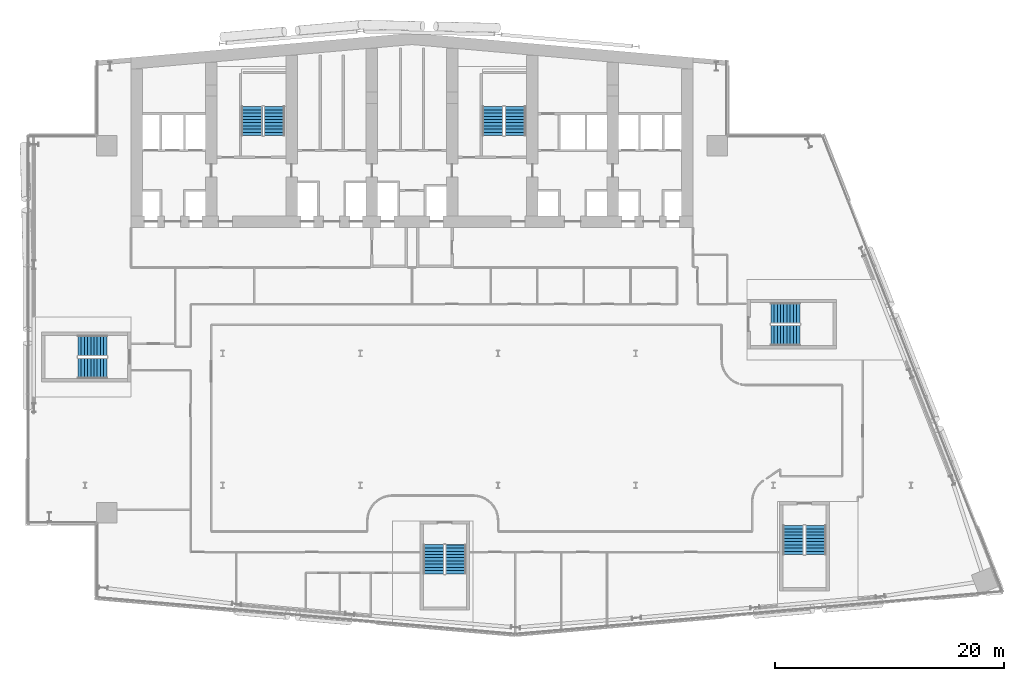
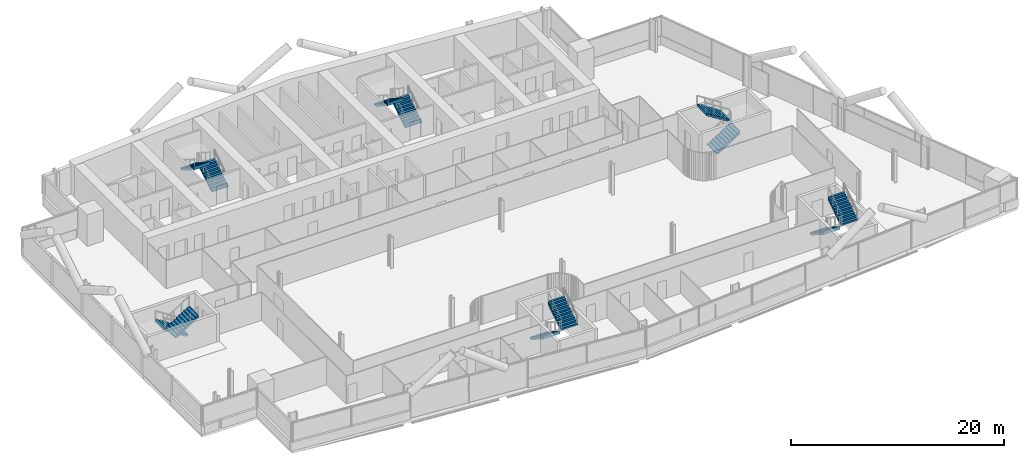
# One storey, part 24 of 30: 12 stair flights, 6 elements without a shape of their own.
"""IFC4 building model written with IfcOpenShell, lengths in metres."""

from ifc_helpers import new_model, si_unit, direction, frame, origin, place, context, subcontext, project, spatial, polyline, outline, extrude, material, type_object, element, aggregate, save


model = new_model("IFC4")

# Units and contexts
model_context = context("Model", 3, precision=1e-05, world=origin(), true_north=direction((0.0, 1.0)))
body_context = subcontext(model_context, "Body", "Model", "MODEL_VIEW")
ifc_project = project(units=[si_unit("LENGTHUNIT", "METRE"), si_unit("AREAUNIT", "SQUARE_METRE"), si_unit("VOLUMEUNIT", "CUBIC_METRE"), si_unit("PLANEANGLEUNIT", "RADIAN"), si_unit("MASSUNIT", "GRAM", prefix="KILO")], contexts=[model_context])

# Site, building, storey
site_placement = place(None, origin())
site = spatial("IfcSite", under=ifc_project, at=site_placement, CompositionType="ELEMENT")
building_placement = place(site_placement, origin())
building = spatial("IfcBuilding", under=site, at=building_placement, Name="Wharfspan Tower", CompositionType="ELEMENT")
storey_placement = place(building_placement, frame((0.0, 0.0, 107.5)))
storey = spatial("IfcBuildingStorey", under=building, at=storey_placement, Name="L24", CompositionType="ELEMENT", Elevation=107.5)

# Stair, stair flights
ifc_material = material(Name="Concrete C40/50", Category="concrete")
stair_type = type_object("IfcStairType", Name="Half-turn stair 20 risers 180 mm", PredefinedType="HALF_TURN_STAIR", material=ifc_material)
stair_1_placement = place(storey_placement, origin())
stair_1 = element("IfcStair", 1, at=stair_1_placement, inside=storey, type_object=stair_type, Name="L24 stair ST1", PredefinedType="HALF_TURN_STAIR")
stair_flight_type = type_object("IfcStairFlightType", Name="Stair flight 20 risers 180 mm", PredefinedType="STRAIGHT", material=ifc_material)
stair_flight_1_placement = place(storey_placement, frame((28.5, 42.0, 0.0), z_axis=(0.0, 0.0, 1.0), x_axis=(0.0, 1.0, 0.0)))
stair_flight_1 = element("IfcStairFlight", 2, at=stair_flight_1_placement, type_object=stair_flight_type, Name="ST1 flight 1", NumberOfRisers=10, NumberOfTreads=9, PredefinedType="STRAIGHT", RiserHeight=0.18, TreadLength=0.28, context=body_context, shape_type="SweptSolid", body=[
    extrude(outline(polyline([(-0.011963, 0.0), (-0.011963, 0.179932), (0.0, 0.179932), (0.280029, 0.179932), (0.280029, 0.360107), (0.560059, 0.360107), (0.560059, 0.540039), (0.840088, 0.540039), (0.840088, 0.719971), (1.120117, 0.719971), (1.120117, 0.899902), (1.399902, 0.899902), (1.399902, 1.080078), (1.679932, 1.080078), (1.679932, 1.26001), (1.959961, 1.26001), (1.959961, 1.439941), (2.23999, 1.439941), (2.23999, 1.620117), (2.52002, 1.620117), (2.531982, 1.800049), (2.531982, 1.441895), (0.2771, 0.0), (-0.011963, 0.0)])), frame((0.0, 0.899902, 0.0), z_axis=(0.0, -1.0, 0.0), x_axis=(1.0, 0.0, 0.0)), (0.0, 0.0, 1.0), 0.899414),
    extrude(outline(polyline([(-0.011963, 0.0), (-0.011963, 0.179932), (0.0, 0.179932), (0.280029, 0.179932), (0.280029, 0.360107), (0.560059, 0.360107), (0.560059, 0.540039), (0.840088, 0.540039), (0.840088, 0.719971), (1.120117, 0.719971), (1.120117, 0.899902), (1.399902, 0.899902), (1.399902, 1.080078), (1.679932, 1.080078), (1.679932, 1.26001), (1.959961, 1.26001), (1.959961, 1.439941), (2.23999, 1.439941), (2.23999, 1.620117), (2.52002, 1.620117), (2.531982, 1.800049), (2.531982, 1.441895), (0.2771, 0.0), (-0.011963, 0.0)])), frame((0.0, -0.000488, 0.0), z_axis=(0.0, -1.0, 0.0), x_axis=(1.0, 0.0, 0.0)), (0.0, 0.0, 1.0), 0.899414),
])
stair_flight_2_placement = place(storey_placement, frame((26.550049, 44.52002, 1.800049), z_axis=(0.0, 0.0, 1.0), x_axis=(0.0, -1.0, 0.0)))
stair_flight_2 = element("IfcStairFlight", 3, at=stair_flight_2_placement, type_object=stair_flight_type, Name="ST1 flight 2", NumberOfRisers=10, NumberOfTreads=9, PredefinedType="STRAIGHT", RiserHeight=0.18, TreadLength=0.28, context=body_context, shape_type="SweptSolid", body=[
    extrude(outline(polyline([(-0.011963, 0.0), (-0.011963, 0.179932), (0.0, 0.179932), (0.280029, 0.179932), (0.280029, 0.360107), (0.560059, 0.360107), (0.560059, 0.540039), (0.840088, 0.540039), (0.840088, 0.719971), (1.120117, 0.719971), (1.120117, 0.899902), (1.399902, 0.899902), (1.399902, 1.080078), (1.679932, 1.080078), (1.679932, 1.26001), (1.959961, 1.26001), (1.959961, 1.439941), (2.23999, 1.439941), (2.23999, 1.620117), (2.52002, 1.620117), (2.531982, 1.800049), (2.531982, 1.441895), (0.2771, 0.0), (-0.011963, 0.0)])), frame((0.0, 0.899902, 0.0), z_axis=(0.0, -1.0, 0.0), x_axis=(1.0, 0.0, 0.0)), (0.0, 0.0, 1.0), 0.899414),
    extrude(outline(polyline([(-0.011963, 0.0), (-0.011963, 0.179932), (0.0, 0.179932), (0.280029, 0.179932), (0.280029, 0.360107), (0.560059, 0.360107), (0.560059, 0.540039), (0.840088, 0.540039), (0.840088, 0.719971), (1.120117, 0.719971), (1.120117, 0.899902), (1.399902, 0.899902), (1.399902, 1.080078), (1.679932, 1.080078), (1.679932, 1.26001), (1.959961, 1.26001), (1.959961, 1.439941), (2.23999, 1.439941), (2.23999, 1.620117), (2.52002, 1.620117), (2.531982, 1.800049), (2.531982, 1.441895), (0.2771, 0.0), (-0.011963, 0.0)])), frame((0.0, -0.000488, 0.0), z_axis=(0.0, -1.0, 0.0), x_axis=(1.0, 0.0, 0.0)), (0.0, 0.0, 1.0), 0.899414),
])
aggregate(stair_1, [stair_flight_1, stair_flight_2])

stair_2_placement = place(storey_placement, origin())
stair_2 = element("IfcStair", 4, at=stair_2_placement, inside=storey, type_object=stair_type, Name="L24 stair ST2", PredefinedType="HALF_TURN_STAIR")
stair_flight_3_placement = place(storey_placement, frame((49.5, 42.0, 0.0), z_axis=(0.0, 0.0, 1.0), x_axis=(0.0, 1.0, 0.0)))
stair_flight_3 = element("IfcStairFlight", 5, at=stair_flight_3_placement, type_object=stair_flight_type, Name="ST2 flight 1", NumberOfRisers=10, NumberOfTreads=9, PredefinedType="STRAIGHT", RiserHeight=0.18, TreadLength=0.28, context=body_context, shape_type="SweptSolid", body=[
    extrude(outline(polyline([(-0.011963, 0.0), (-0.011963, 0.179932), (0.0, 0.179932), (0.280029, 0.179932), (0.280029, 0.360107), (0.560059, 0.360107), (0.560059, 0.540039), (0.840088, 0.540039), (0.840088, 0.719971), (1.120117, 0.719971), (1.120117, 0.899902), (1.399902, 0.899902), (1.399902, 1.080078), (1.679932, 1.080078), (1.679932, 1.26001), (1.959961, 1.26001), (1.959961, 1.439941), (2.23999, 1.439941), (2.23999, 1.620117), (2.52002, 1.620117), (2.531982, 1.800049), (2.531982, 1.441895), (0.2771, 0.0), (-0.011963, 0.0)])), frame((0.0, 0.899902, 0.0), z_axis=(0.0, -1.0, 0.0), x_axis=(1.0, 0.0, 0.0)), (0.0, 0.0, 1.0), 0.899414),
    extrude(outline(polyline([(-0.011963, 0.0), (-0.011963, 0.179932), (0.0, 0.179932), (0.280029, 0.179932), (0.280029, 0.360107), (0.560059, 0.360107), (0.560059, 0.540039), (0.840088, 0.540039), (0.840088, 0.719971), (1.120117, 0.719971), (1.120117, 0.899902), (1.399902, 0.899902), (1.399902, 1.080078), (1.679932, 1.080078), (1.679932, 1.26001), (1.959961, 1.26001), (1.959961, 1.439941), (2.23999, 1.439941), (2.23999, 1.620117), (2.52002, 1.620117), (2.531982, 1.800049), (2.531982, 1.441895), (0.2771, 0.0), (-0.011963, 0.0)])), frame((0.0, -0.000488, 0.0), z_axis=(0.0, -1.0, 0.0), x_axis=(1.0, 0.0, 0.0)), (0.0, 0.0, 1.0), 0.899414),
])
stair_flight_4_placement = place(storey_placement, frame((47.550049, 44.52002, 1.800049), z_axis=(0.0, 0.0, 1.0), x_axis=(0.0, -1.0, 0.0)))
stair_flight_4 = element("IfcStairFlight", 6, at=stair_flight_4_placement, type_object=stair_flight_type, Name="ST2 flight 2", NumberOfRisers=10, NumberOfTreads=9, PredefinedType="STRAIGHT", RiserHeight=0.18, TreadLength=0.28, context=body_context, shape_type="SweptSolid", body=[
    extrude(outline(polyline([(-0.011963, 0.0), (-0.011963, 0.179932), (0.0, 0.179932), (0.280029, 0.179932), (0.280029, 0.360107), (0.560059, 0.360107), (0.560059, 0.540039), (0.840088, 0.540039), (0.840088, 0.719971), (1.120117, 0.719971), (1.120117, 0.899902), (1.399902, 0.899902), (1.399902, 1.080078), (1.679932, 1.080078), (1.679932, 1.26001), (1.959961, 1.26001), (1.959961, 1.439941), (2.23999, 1.439941), (2.23999, 1.620117), (2.52002, 1.620117), (2.531982, 1.800049), (2.531982, 1.441895), (0.2771, 0.0), (-0.011963, 0.0)])), frame((0.0, 0.899902, 0.0), z_axis=(0.0, -1.0, 0.0), x_axis=(1.0, 0.0, 0.0)), (0.0, 0.0, 1.0), 0.899414),
    extrude(outline(polyline([(-0.011963, 0.0), (-0.011963, 0.179932), (0.0, 0.179932), (0.280029, 0.179932), (0.280029, 0.360107), (0.560059, 0.360107), (0.560059, 0.540039), (0.840088, 0.540039), (0.840088, 0.719971), (1.120117, 0.719971), (1.120117, 0.899902), (1.399902, 0.899902), (1.399902, 1.080078), (1.679932, 1.080078), (1.679932, 1.26001), (1.959961, 1.26001), (1.959961, 1.439941), (2.23999, 1.439941), (2.23999, 1.620117), (2.52002, 1.620117), (2.531982, 1.800049), (2.531982, 1.441895), (0.2771, 0.0), (-0.011963, 0.0)])), frame((0.0, -0.000488, 0.0), z_axis=(0.0, -1.0, 0.0), x_axis=(1.0, 0.0, 0.0)), (0.0, 0.0, 1.0), 0.899414),
])
aggregate(stair_2, [stair_flight_3, stair_flight_4])

stair_3_placement = place(storey_placement, origin())
stair_3 = element("IfcStair", 7, at=stair_3_placement, inside=storey, type_object=stair_type, Name="L24 stair ST3", PredefinedType="HALF_TURN_STAIR")
stair_flight_5_placement = place(storey_placement, frame((13.899902, 23.675049, 0.0), z_axis=(0.0, 0.0, 1.0), x_axis=(-1.0, 0.0, 0.0)))
stair_flight_5 = element("IfcStairFlight", 8, at=stair_flight_5_placement, type_object=stair_flight_type, Name="ST3 flight 1", NumberOfRisers=10, NumberOfTreads=9, PredefinedType="STRAIGHT", RiserHeight=0.18, TreadLength=0.28, context=body_context, shape_type="SweptSolid", body=[
    extrude(outline(polyline([(-0.011963, 0.0), (-0.011963, 0.179932), (0.0, 0.179932), (0.280029, 0.179932), (0.280029, 0.360107), (0.560059, 0.360107), (0.560059, 0.540039), (0.840088, 0.540039), (0.840088, 0.719971), (1.120117, 0.719971), (1.120117, 0.899902), (1.399902, 0.899902), (1.399902, 1.080078), (1.679932, 1.080078), (1.679932, 1.26001), (1.959961, 1.26001), (1.959961, 1.439941), (2.23999, 1.439941), (2.23999, 1.620117), (2.52002, 1.620117), (2.531982, 1.800049), (2.531982, 1.441895), (0.2771, 0.0), (-0.011963, 0.0)])), frame((0.0, 0.899902, 0.0), z_axis=(0.0, -1.0, 0.0), x_axis=(1.0, 0.0, 0.0)), (0.0, 0.0, 1.0), 0.899414),
    extrude(outline(polyline([(-0.011963, 0.0), (-0.011963, 0.179932), (0.0, 0.179932), (0.280029, 0.179932), (0.280029, 0.360107), (0.560059, 0.360107), (0.560059, 0.540039), (0.840088, 0.540039), (0.840088, 0.719971), (1.120117, 0.719971), (1.120117, 0.899902), (1.399902, 0.899902), (1.399902, 1.080078), (1.679932, 1.080078), (1.679932, 1.26001), (1.959961, 1.26001), (1.959961, 1.439941), (2.23999, 1.439941), (2.23999, 1.620117), (2.52002, 1.620117), (2.531982, 1.800049), (2.531982, 1.441895), (0.2771, 0.0), (-0.011963, 0.0)])), frame((0.0, -0.000488, 0.0), z_axis=(0.0, -1.0, 0.0), x_axis=(1.0, 0.0, 0.0)), (0.0, 0.0, 1.0), 0.899414),
])
stair_flight_6_placement = place(storey_placement, frame((11.379883, 21.725098, 1.800049), z_axis=(0.0, 0.0, 1.0), x_axis=(1.0, 0.0, 0.0)))
stair_flight_6 = element("IfcStairFlight", 9, at=stair_flight_6_placement, type_object=stair_flight_type, Name="ST3 flight 2", NumberOfRisers=10, NumberOfTreads=9, PredefinedType="STRAIGHT", RiserHeight=0.18, TreadLength=0.28, context=body_context, shape_type="SweptSolid", body=[
    extrude(outline(polyline([(-0.011963, 0.0), (-0.011963, 0.179932), (0.0, 0.179932), (0.280029, 0.179932), (0.280029, 0.360107), (0.560059, 0.360107), (0.560059, 0.540039), (0.840088, 0.540039), (0.840088, 0.719971), (1.120117, 0.719971), (1.120117, 0.899902), (1.399902, 0.899902), (1.399902, 1.080078), (1.679932, 1.080078), (1.679932, 1.26001), (1.959961, 1.26001), (1.959961, 1.439941), (2.23999, 1.439941), (2.23999, 1.620117), (2.52002, 1.620117), (2.531982, 1.800049), (2.531982, 1.441895), (0.2771, 0.0), (-0.011963, 0.0)])), frame((0.0, 0.899902, 0.0), z_axis=(0.0, -1.0, 0.0), x_axis=(1.0, 0.0, 0.0)), (0.0, 0.0, 1.0), 0.899414),
    extrude(outline(polyline([(-0.011963, 0.0), (-0.011963, 0.179932), (0.0, 0.179932), (0.280029, 0.179932), (0.280029, 0.360107), (0.560059, 0.360107), (0.560059, 0.540039), (0.840088, 0.540039), (0.840088, 0.719971), (1.120117, 0.719971), (1.120117, 0.899902), (1.399902, 0.899902), (1.399902, 1.080078), (1.679932, 1.080078), (1.679932, 1.26001), (1.959961, 1.26001), (1.959961, 1.439941), (2.23999, 1.439941), (2.23999, 1.620117), (2.52002, 1.620117), (2.531982, 1.800049), (2.531982, 1.441895), (0.2771, 0.0), (-0.011963, 0.0)])), frame((0.0, -0.000488, 0.0), z_axis=(0.0, -1.0, 0.0), x_axis=(1.0, 0.0, 0.0)), (0.0, 0.0, 1.0), 0.899414),
])
aggregate(stair_3, [stair_flight_5, stair_flight_6])

stair_4_placement = place(storey_placement, origin())
stair_4 = element("IfcStair", 10, at=stair_4_placement, inside=storey, type_object=stair_type, Name="L24 stair ST4", PredefinedType="HALF_TURN_STAIR")
stair_flight_7_placement = place(storey_placement, frame((42.385254, 6.316895, 0.0), z_axis=(0.0, 0.0, 1.0), x_axis=(0.0, -1.0, 0.0)))
stair_flight_7 = element("IfcStairFlight", 11, at=stair_flight_7_placement, type_object=stair_flight_type, Name="ST4 flight 1", NumberOfRisers=10, NumberOfTreads=9, PredefinedType="STRAIGHT", RiserHeight=0.18, TreadLength=0.28, context=body_context, shape_type="SweptSolid", body=[
    extrude(outline(polyline([(-0.011963, 0.0), (-0.011963, 0.179932), (0.0, 0.179932), (0.280029, 0.179932), (0.280029, 0.360107), (0.560059, 0.360107), (0.560059, 0.540039), (0.840088, 0.540039), (0.840088, 0.719971), (1.120117, 0.719971), (1.120117, 0.899902), (1.399902, 0.899902), (1.399902, 1.080078), (1.679932, 1.080078), (1.679932, 1.26001), (1.959961, 1.26001), (1.959961, 1.439941), (2.23999, 1.439941), (2.23999, 1.620117), (2.52002, 1.620117), (2.531982, 1.800049), (2.531982, 1.441895), (0.2771, 0.0), (-0.011963, 0.0)])), frame((0.0, 0.899902, 0.0), z_axis=(0.0, -1.0, 0.0), x_axis=(1.0, 0.0, 0.0)), (0.0, 0.0, 1.0), 0.899414),
    extrude(outline(polyline([(-0.011963, 0.0), (-0.011963, 0.179932), (0.0, 0.179932), (0.280029, 0.179932), (0.280029, 0.360107), (0.560059, 0.360107), (0.560059, 0.540039), (0.840088, 0.540039), (0.840088, 0.719971), (1.120117, 0.719971), (1.120117, 0.899902), (1.399902, 0.899902), (1.399902, 1.080078), (1.679932, 1.080078), (1.679932, 1.26001), (1.959961, 1.26001), (1.959961, 1.439941), (2.23999, 1.439941), (2.23999, 1.620117), (2.52002, 1.620117), (2.531982, 1.800049), (2.531982, 1.441895), (0.2771, 0.0), (-0.011963, 0.0)])), frame((0.0, -0.000488, 0.0), z_axis=(0.0, -1.0, 0.0), x_axis=(1.0, 0.0, 0.0)), (0.0, 0.0, 1.0), 0.899414),
])
stair_flight_8_placement = place(storey_placement, frame((44.335205, 3.796875, 1.800049), z_axis=(0.0, 0.0, 1.0), x_axis=(0.0, 1.0, 0.0)))
stair_flight_8 = element("IfcStairFlight", 12, at=stair_flight_8_placement, type_object=stair_flight_type, Name="ST4 flight 2", NumberOfRisers=10, NumberOfTreads=9, PredefinedType="STRAIGHT", RiserHeight=0.18, TreadLength=0.28, context=body_context, shape_type="SweptSolid", body=[
    extrude(outline(polyline([(-0.011963, 0.0), (-0.011963, 0.179932), (0.0, 0.179932), (0.280029, 0.179932), (0.280029, 0.360107), (0.560059, 0.360107), (0.560059, 0.540039), (0.840088, 0.540039), (0.840088, 0.719971), (1.120117, 0.719971), (1.120117, 0.899902), (1.399902, 0.899902), (1.399902, 1.080078), (1.679932, 1.080078), (1.679932, 1.26001), (1.959961, 1.26001), (1.959961, 1.439941), (2.23999, 1.439941), (2.23999, 1.620117), (2.52002, 1.620117), (2.531982, 1.800049), (2.531982, 1.441895), (0.2771, 0.0), (-0.011963, 0.0)])), frame((0.0, 0.899902, 0.0), z_axis=(0.0, -1.0, 0.0), x_axis=(1.0, 0.0, 0.0)), (0.0, 0.0, 1.0), 0.899414),
    extrude(outline(polyline([(-0.011963, 0.0), (-0.011963, 0.179932), (0.0, 0.179932), (0.280029, 0.179932), (0.280029, 0.360107), (0.560059, 0.360107), (0.560059, 0.540039), (0.840088, 0.540039), (0.840088, 0.719971), (1.120117, 0.719971), (1.120117, 0.899902), (1.399902, 0.899902), (1.399902, 1.080078), (1.679932, 1.080078), (1.679932, 1.26001), (1.959961, 1.26001), (1.959961, 1.439941), (2.23999, 1.439941), (2.23999, 1.620117), (2.52002, 1.620117), (2.531982, 1.800049), (2.531982, 1.441895), (0.2771, 0.0), (-0.011963, 0.0)])), frame((0.0, -0.000488, 0.0), z_axis=(0.0, -1.0, 0.0), x_axis=(1.0, 0.0, 0.0)), (0.0, 0.0, 1.0), 0.899414),
])
aggregate(stair_4, [stair_flight_7, stair_flight_8])

stair_5_placement = place(storey_placement, origin())
stair_5 = element("IfcStair", 13, at=stair_5_placement, inside=storey, type_object=stair_type, Name="L24 stair ST5", PredefinedType="HALF_TURN_STAIR")
stair_flight_9_placement = place(storey_placement, frame((73.740967, 7.994629, 0.0), z_axis=(0.0, 0.0, 1.0), x_axis=(0.0, -1.0, 0.0)))
stair_flight_9 = element("IfcStairFlight", 14, at=stair_flight_9_placement, type_object=stair_flight_type, Name="ST5 flight 1", NumberOfRisers=10, NumberOfTreads=9, PredefinedType="STRAIGHT", RiserHeight=0.18, TreadLength=0.28, context=body_context, shape_type="SweptSolid", body=[
    extrude(outline(polyline([(-0.011963, 0.0), (-0.011963, 0.179932), (0.0, 0.179932), (0.280029, 0.179932), (0.280029, 0.360107), (0.560059, 0.360107), (0.560059, 0.540039), (0.840088, 0.540039), (0.840088, 0.719971), (1.120117, 0.719971), (1.120117, 0.899902), (1.399902, 0.899902), (1.399902, 1.080078), (1.679932, 1.080078), (1.679932, 1.26001), (1.959961, 1.26001), (1.959961, 1.439941), (2.23999, 1.439941), (2.23999, 1.620117), (2.52002, 1.620117), (2.531982, 1.800049), (2.531982, 1.441895), (0.2771, 0.0), (-0.011963, 0.0)])), frame((0.0, 0.899902, 0.0), z_axis=(0.0, -1.0, 0.0), x_axis=(1.0, 0.0, 0.0)), (0.0, 0.0, 1.0), 0.899414),
    extrude(outline(polyline([(-0.011963, 0.0), (-0.011963, 0.179932), (0.0, 0.179932), (0.280029, 0.179932), (0.280029, 0.360107), (0.560059, 0.360107), (0.560059, 0.540039), (0.840088, 0.540039), (0.840088, 0.719971), (1.120117, 0.719971), (1.120117, 0.899902), (1.399902, 0.899902), (1.399902, 1.080078), (1.679932, 1.080078), (1.679932, 1.26001), (1.959961, 1.26001), (1.959961, 1.439941), (2.23999, 1.439941), (2.23999, 1.620117), (2.52002, 1.620117), (2.531982, 1.800049), (2.531982, 1.441895), (0.2771, 0.0), (-0.011963, 0.0)])), frame((0.0, -0.000488, 0.0), z_axis=(0.0, -1.0, 0.0), x_axis=(1.0, 0.0, 0.0)), (0.0, 0.0, 1.0), 0.899414),
])
stair_flight_10_placement = place(storey_placement, frame((75.690918, 5.474609, 1.800049), z_axis=(0.0, 0.0, 1.0), x_axis=(0.0, 1.0, 0.0)))
stair_flight_10 = element("IfcStairFlight", 15, at=stair_flight_10_placement, type_object=stair_flight_type, Name="ST5 flight 2", NumberOfRisers=10, NumberOfTreads=9, PredefinedType="STRAIGHT", RiserHeight=0.18, TreadLength=0.28, context=body_context, shape_type="SweptSolid", body=[
    extrude(outline(polyline([(-0.011963, 0.0), (-0.011963, 0.179932), (0.0, 0.179932), (0.280029, 0.179932), (0.280029, 0.360107), (0.560059, 0.360107), (0.560059, 0.540039), (0.840088, 0.540039), (0.840088, 0.719971), (1.120117, 0.719971), (1.120117, 0.899902), (1.399902, 0.899902), (1.399902, 1.080078), (1.679932, 1.080078), (1.679932, 1.26001), (1.959961, 1.26001), (1.959961, 1.439941), (2.23999, 1.439941), (2.23999, 1.620117), (2.52002, 1.620117), (2.531982, 1.800049), (2.531982, 1.441895), (0.2771, 0.0), (-0.011963, 0.0)])), frame((0.0, 0.899902, 0.0), z_axis=(0.0, -1.0, 0.0), x_axis=(1.0, 0.0, 0.0)), (0.0, 0.0, 1.0), 0.899414),
    extrude(outline(polyline([(-0.011963, 0.0), (-0.011963, 0.179932), (0.0, 0.179932), (0.280029, 0.179932), (0.280029, 0.360107), (0.560059, 0.360107), (0.560059, 0.540039), (0.840088, 0.540039), (0.840088, 0.719971), (1.120117, 0.719971), (1.120117, 0.899902), (1.399902, 0.899902), (1.399902, 1.080078), (1.679932, 1.080078), (1.679932, 1.26001), (1.959961, 1.26001), (1.959961, 1.439941), (2.23999, 1.439941), (2.23999, 1.620117), (2.52002, 1.620117), (2.531982, 1.800049), (2.531982, 1.441895), (0.2771, 0.0), (-0.011963, 0.0)])), frame((0.0, -0.000488, 0.0), z_axis=(0.0, -1.0, 0.0), x_axis=(1.0, 0.0, 0.0)), (0.0, 0.0, 1.0), 0.899414),
])
aggregate(stair_5, [stair_flight_9, stair_flight_10])

stair_6_placement = place(storey_placement, origin())
stair_6 = element("IfcStair", 16, at=stair_6_placement, inside=storey, type_object=stair_type, Name="L24 stair ST6", PredefinedType="HALF_TURN_STAIR")
stair_flight_11_placement = place(storey_placement, frame((71.790283, 24.574951, 0.0), z_axis=(0.0, 0.0, 1.0), x_axis=(1.0, 0.0, 0.0)))
stair_flight_11 = element("IfcStairFlight", 17, at=stair_flight_11_placement, type_object=stair_flight_type, Name="ST6 flight 1", NumberOfRisers=10, NumberOfTreads=9, PredefinedType="STRAIGHT", RiserHeight=0.18, TreadLength=0.28, context=body_context, shape_type="SweptSolid", body=[
    extrude(outline(polyline([(-0.011963, 0.0), (-0.011963, 0.179932), (0.0, 0.179932), (0.280029, 0.179932), (0.280029, 0.360107), (0.560059, 0.360107), (0.560059, 0.540039), (0.840088, 0.540039), (0.840088, 0.719971), (1.120117, 0.719971), (1.120117, 0.899902), (1.399902, 0.899902), (1.399902, 1.080078), (1.679932, 1.080078), (1.679932, 1.26001), (1.959961, 1.26001), (1.959961, 1.439941), (2.23999, 1.439941), (2.23999, 1.620117), (2.52002, 1.620117), (2.531982, 1.800049), (2.531982, 1.441895), (0.2771, 0.0), (-0.011963, 0.0)])), frame((0.0, 0.899902, 0.0), z_axis=(0.0, -1.0, 0.0), x_axis=(1.0, 0.0, 0.0)), (0.0, 0.0, 1.0), 0.899414),
    extrude(outline(polyline([(-0.011963, 0.0), (-0.011963, 0.179932), (0.0, 0.179932), (0.280029, 0.179932), (0.280029, 0.360107), (0.560059, 0.360107), (0.560059, 0.540039), (0.840088, 0.540039), (0.840088, 0.719971), (1.120117, 0.719971), (1.120117, 0.899902), (1.399902, 0.899902), (1.399902, 1.080078), (1.679932, 1.080078), (1.679932, 1.26001), (1.959961, 1.26001), (1.959961, 1.439941), (2.23999, 1.439941), (2.23999, 1.620117), (2.52002, 1.620117), (2.531982, 1.800049), (2.531982, 1.441895), (0.2771, 0.0), (-0.011963, 0.0)])), frame((0.0, -0.000488, 0.0), z_axis=(0.0, -1.0, 0.0), x_axis=(1.0, 0.0, 0.0)), (0.0, 0.0, 1.0), 0.899414),
])
stair_flight_12_placement = place(storey_placement, frame((74.310303, 26.524902, 1.800049), z_axis=(0.0, 0.0, 1.0), x_axis=(-1.0, 0.0, 0.0)))
stair_flight_12 = element("IfcStairFlight", 18, at=stair_flight_12_placement, type_object=stair_flight_type, Name="ST6 flight 2", NumberOfRisers=10, NumberOfTreads=9, PredefinedType="STRAIGHT", RiserHeight=0.18, TreadLength=0.28, context=body_context, shape_type="SweptSolid", body=[
    extrude(outline(polyline([(-0.011963, 0.0), (-0.011963, 0.179932), (0.0, 0.179932), (0.280029, 0.179932), (0.280029, 0.360107), (0.560059, 0.360107), (0.560059, 0.540039), (0.840088, 0.540039), (0.840088, 0.719971), (1.120117, 0.719971), (1.120117, 0.899902), (1.399902, 0.899902), (1.399902, 1.080078), (1.679932, 1.080078), (1.679932, 1.26001), (1.959961, 1.26001), (1.959961, 1.439941), (2.23999, 1.439941), (2.23999, 1.620117), (2.52002, 1.620117), (2.531982, 1.800049), (2.531982, 1.441895), (0.2771, 0.0), (-0.011963, 0.0)])), frame((0.0, 0.899902, 0.0), z_axis=(0.0, -1.0, 0.0), x_axis=(1.0, 0.0, 0.0)), (0.0, 0.0, 1.0), 0.899414),
    extrude(outline(polyline([(-0.011963, 0.0), (-0.011963, 0.179932), (0.0, 0.179932), (0.280029, 0.179932), (0.280029, 0.360107), (0.560059, 0.360107), (0.560059, 0.540039), (0.840088, 0.540039), (0.840088, 0.719971), (1.120117, 0.719971), (1.120117, 0.899902), (1.399902, 0.899902), (1.399902, 1.080078), (1.679932, 1.080078), (1.679932, 1.26001), (1.959961, 1.26001), (1.959961, 1.439941), (2.23999, 1.439941), (2.23999, 1.620117), (2.52002, 1.620117), (2.531982, 1.800049), (2.531982, 1.441895), (0.2771, 0.0), (-0.011963, 0.0)])), frame((0.0, -0.000488, 0.0), z_axis=(0.0, -1.0, 0.0), x_axis=(1.0, 0.0, 0.0)), (0.0, 0.0, 1.0), 0.899414),
])
aggregate(stair_6, [stair_flight_11, stair_flight_12])

save(model, "model.ifc")
